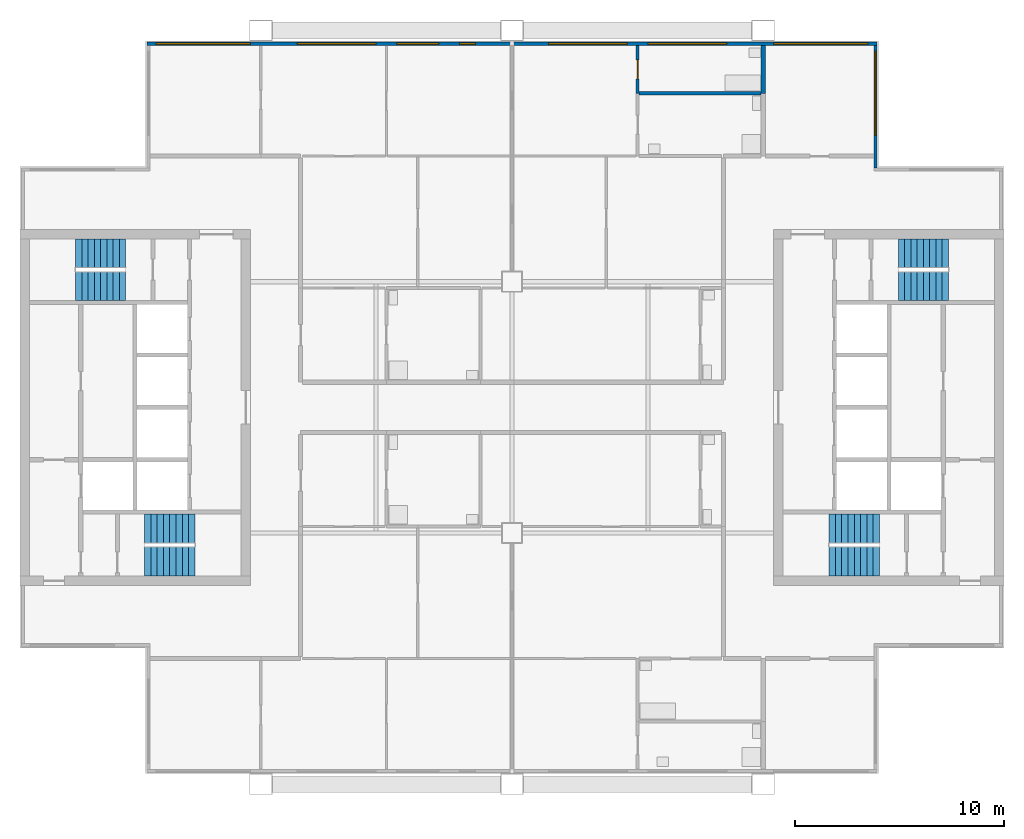
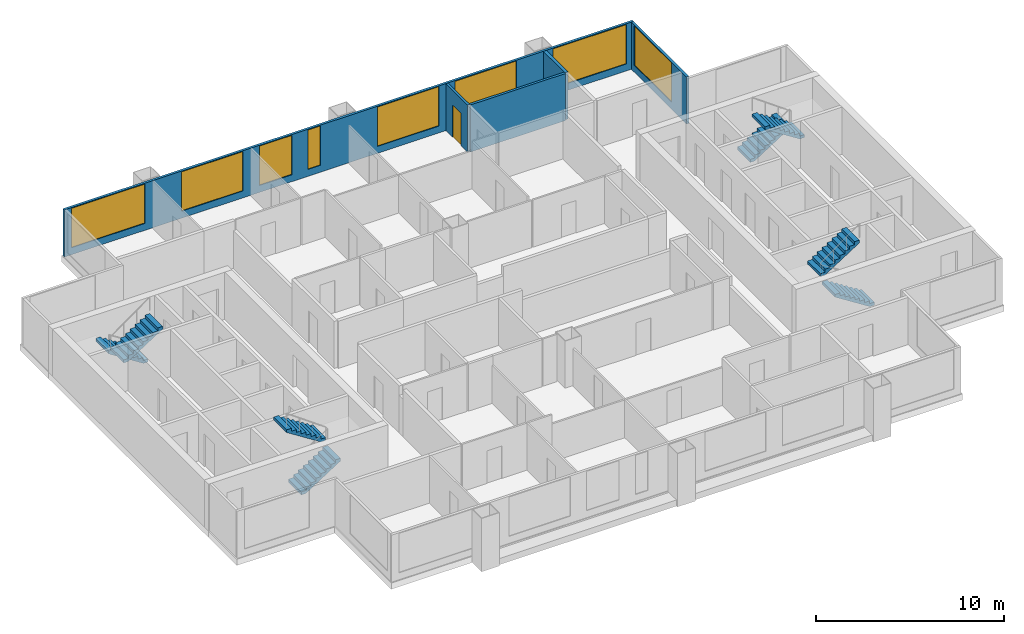
# One storey, part 6 of 8: 8 stair flights, 8 windows, 5 walls, 1 door, 9 openings, 4 elements without a shape of their own.
"""IFC4 building model written with IfcOpenShell, lengths in metres."""

from ifc_helpers import new_model, si_unit, direction, frame, frame_2d, origin, place, context, subcontext, project, spatial, polyline, rectangle, outline, extrude, material, layer, layer_set, type_object, element, fill, aggregate, save


model = new_model("IFC4")

# Units and contexts
model_context = context("Model", 3, precision=1e-05, world=origin(), true_north=direction((0.0, 1.0)))
body_context = subcontext(model_context, "Body", "Model", "MODEL_VIEW")
ifc_project = project(units=[si_unit("LENGTHUNIT", "METRE"), si_unit("AREAUNIT", "SQUARE_METRE"), si_unit("VOLUMEUNIT", "CUBIC_METRE"), si_unit("PLANEANGLEUNIT", "RADIAN"), si_unit("MASSUNIT", "GRAM", prefix="KILO")], contexts=[model_context])

# Site, building, storey
site_placement = place(None, origin())
site = spatial("IfcSite", under=ifc_project, at=site_placement, CompositionType="ELEMENT")
building_placement = place(site_placement, origin())
building = spatial("IfcBuilding", under=site, at=building_placement, Name="Kitamizu Gate Tower and Museum", CompositionType="ELEMENT")
storey_placement = place(building_placement, frame((0.0, 0.0, 235.199951171875)))
storey = spatial("IfcBuildingStorey", under=building, at=storey_placement, Name="L63", CompositionType="ELEMENT", Elevation=235.199951171875)

# Wall, opening, door
ifc_material_1 = material(Name="Gypsum board on galvanised stud")
ifc_layer_1 = layer(ifc_material_1, 0.14990234375)
ifc_layer_set_1 = layer_set([ifc_layer_1], Name="Gypsum board on galvanised stud")
wall_type_1 = type_object("IfcWallType", Name="Partition 150", PredefinedType="PARTITIONING", material=ifc_layer_set_1)
wall_1_placement = place(storey_placement, frame((42.0, 45.0, 0.0), z_axis=(0.0, 0.0, 1.0), x_axis=(0.0, 1.0, 0.0)))
wall_1 = element("IfcWall", 1, at=wall_1_placement, inside=storey, type_object=wall_type_1, Name="Partition L63-047", PredefinedType="PARTITIONING", context=body_context, shape_type="SweptSolid", body=[
    extrude(rectangle(XDim=2.280029296875, YDim=0.14990234375, at=frame_2d((1.14013671875, 0.0))), origin(), (0.0, 0.0, 1.0), 3.050048828125),
])
opening_1_placement = place(wall_1_placement, frame((0.68994140625, 0.0, 0.0)))
opening_1 = element("IfcOpeningElement", 2, at=opening_1_placement, cuts=wall_1, Name="Opening L63-021", PredefinedType="OPENING", context=body_context, shape_type="SweptSolid", body=[
    extrude(rectangle(XDim=0.89990234375, YDim=2.10009765625, at=frame_2d((0.449951171875, 1.050048828125))), frame((0.0, 0.0849609375, 0.0), z_axis=(0.0, -1.0, 0.0), x_axis=(1.0, 0.0, 0.0)), (0.0, 0.0, 1.0), 0.169921875),
])
ifc_material_2 = material(Name="Timber door set", Category="wood")
door_type = type_object("IfcDoorType", Name="Bathroom door 900", OperationType="NOTDEFINED", PredefinedType="DOOR", material=ifc_material_2)
door_placement = place(opening_1_placement, frame((0.89990234375, 0.0, 0.0), x_axis=(-1.0, 0.0, 0.0)))
door = element("IfcDoor", 3, at=door_placement, inside=storey, type_object=door_type, Name="Bathroom door L63-021", OperationType="SINGLE_SWING_LEFT", OverallHeight=2.10009765625, OverallWidth=0.89990234375, PredefinedType="DOOR", context=body_context, shape_type="SweptSolid", body=[
    extrude(rectangle(XDim=0.89990234375, YDim=2.10009765625, at=frame_2d((0.449951171875, 1.050048828125))), frame((0.0, 0.02490234375, 0.0), z_axis=(0.0, -1.0, 0.0), x_axis=(1.0, 0.0, 0.0)), (0.0, 0.0, 1.0), 0.050048828125),
])
fill(opening_1, door)

# Walls
wall_2_placement = place(storey_placement, frame((47.89990234375, 45.0, 0.0), z_axis=(0.0, 0.0, 1.0), x_axis=(-1.0, 0.0, 0.0)))
element("IfcWall", 4, at=wall_2_placement, inside=storey, type_object=wall_type_1, Name="Partition L63-050", PredefinedType="PARTITIONING", context=body_context, shape_type="SweptSolid", body=[
    extrude(rectangle(XDim=5.824951171875, YDim=0.14990234375, at=frame_2d((2.91259765625, 0.0))), origin(), (0.0, 0.0, 1.0), 3.050048828125),
])
ifc_material_3 = material(Name="Gypsum board on galvanised stud")
ifc_layer_2 = layer(ifc_material_3, 0.199951171875)
ifc_layer_set_2 = layer_set([ifc_layer_2], Name="Gypsum board on galvanised stud")
wall_type_2 = type_object("IfcWallType", Name="Partition 200", PredefinedType="PARTITIONING", material=ifc_layer_set_2)
wall_3_placement = place(storey_placement, frame((48.0, 45.0, 0.0), z_axis=(0.0, 0.0, 1.0), x_axis=(0.0, 1.0, 0.0)))
element("IfcWall", 5, at=wall_3_placement, inside=storey, type_object=wall_type_2, Name="Partition L63-054", PredefinedType="PARTITIONING", context=body_context, shape_type="SweptSolid", body=[
    extrude(rectangle(XDim=2.280029296875, YDim=0.199951171875, at=frame_2d((1.14013671875, 0.0))), origin(), (0.0, 0.0, 1.0), 3.050048828125),
])

# Wall, opening, window
ifc_material_4 = material(Name="Bronze anodised aluminium frame with insulated spandrel and tinted glass", Category="aluminium")
ifc_layer_3 = layer(ifc_material_4, 0.14990234375)
ifc_layer_set_3 = layer_set([ifc_layer_3], Name="Bronze anodised aluminium frame with insulated spandrel and tinted glass")
wall_type_3 = type_object("IfcWallType", Name="WINDOW WALL 150 BRONZE FRAME EI 30", PredefinedType="ELEMENTEDWALL", material=ifc_layer_set_3)
wall_4_placement = place(storey_placement, frame((53.364990234375, 41.43994140625, 0.0), z_axis=(0.0, 0.0, 1.0), x_axis=(0.0, 1.0, 0.0)))
wall_4 = element("IfcWall", 6, at=wall_4_placement, inside=storey, type_object=wall_type_3, Name="Window wall east L63", PredefinedType="ELEMENTEDWALL", context=body_context, shape_type="SweptSolid", body=[
    extrude(rectangle(XDim=5.85009765625, YDim=0.14990234375, at=frame_2d((2.925048828125, 0.0))), origin(), (0.0, 0.0, 1.0), 3.050048828125),
])
opening_2_placement = place(wall_4_placement, frame((1.56005859375, 0.0, 0.449951171875)))
opening_2 = element("IfcOpeningElement", 7, at=opening_2_placement, cuts=wall_4, Name="Opening W16", PredefinedType="OPENING", context=body_context, shape_type="SweptSolid", body=[
    extrude(rectangle(XDim=4.0, YDim=2.550048828125, at=frame_2d((2.0, 1.27490234375))), frame((0.0, 0.0849609375, 0.0), z_axis=(0.0, -1.0, 0.0), x_axis=(1.0, 0.0, 0.0)), (0.0, 0.0, 1.0), 0.169921875),
])
ifc_material_5 = material(Name="Bronze anodised aluminium frame, tinted triple glazing", Category="aluminium")
window_type_1 = type_object("IfcWindowType", Name="WINDOW 4000 x 2550 SILL 450", PartitioningType="SINGLE_PANEL", PredefinedType="WINDOW", material=ifc_material_5)
window_1_placement = place(opening_2_placement, origin())
window_1 = element("IfcWindow", 8, at=window_1_placement, inside=storey, type_object=window_type_1, Name="Window W16 L63", OverallHeight=2.550048828125, OverallWidth=4.0, PartitioningType="SINGLE_PANEL", PredefinedType="WINDOW", context=body_context, shape_type="SweptSolid", body=[
    extrude(rectangle(XDim=4.0, YDim=2.550048828125, at=frame_2d((2.0, 1.27490234375))), frame((0.0, 0.030029296875, 0.0), z_axis=(0.0, -1.0, 0.0), x_axis=(1.0, 0.0, 0.0)), (0.0, 0.0, 1.0), 0.06005859375),
])
fill(opening_2, window_1)

# Wall, openings, windows
wall_5_placement = place(storey_placement, frame((18.56005859375, 47.364990234375, 0.0), z_axis=(0.0, 0.0, 1.0), x_axis=(1.0, 0.0, 0.0)))
wall_5 = element("IfcWall", 9, at=wall_5_placement, inside=storey, type_object=wall_type_3, Name="Window wall north L63", PredefinedType="ELEMENTEDWALL", context=body_context, shape_type="SweptSolid", body=[
    extrude(rectangle(XDim=34.8798828125, YDim=0.14990234375, at=frame_2d((17.43994140625, 0.0))), origin(), (0.0, 0.0, 1.0), 3.050048828125),
])
opening_3_placement = place(wall_5_placement, frame((0.43994140625, 0.0, 0.449951171875)))
opening_3 = element("IfcOpeningElement", 10, at=opening_3_placement, cuts=wall_5, Name="Opening W15", PredefinedType="OPENING", context=body_context, shape_type="SweptSolid", body=[
    extrude(rectangle(XDim=4.5, YDim=2.550048828125, at=frame_2d((2.25, 1.27490234375))), frame((0.0, 0.0849609375, 0.0), z_axis=(0.0, -1.0, 0.0), x_axis=(1.0, 0.0, 0.0)), (0.0, 0.0, 1.0), 0.169921875),
])
opening_4_placement = place(wall_5_placement, frame((7.18994140625, 0.0, 0.449951171875)))
opening_4 = element("IfcOpeningElement", 11, at=opening_4_placement, cuts=wall_5, Name="Opening W36", PredefinedType="OPENING", context=body_context, shape_type="SweptSolid", body=[
    extrude(rectangle(XDim=3.75, YDim=2.550048828125, at=frame_2d((1.875, 1.27490234375))), frame((0.0, 0.0849609375, 0.0), z_axis=(0.0, -1.0, 0.0), x_axis=(1.0, 0.0, 0.0)), (0.0, 0.0, 1.0), 0.169921875),
])
opening_5_placement = place(wall_5_placement, frame((11.93994140625, 0.0, 0.449951171875)))
opening_5 = element("IfcOpeningElement", 12, at=opening_5_placement, cuts=wall_5, Name="Opening W2", PredefinedType="OPENING", context=body_context, shape_type="SweptSolid", body=[
    extrude(rectangle(XDim=2.0, YDim=2.550048828125, at=frame_2d((1.0, 1.27490234375))), frame((0.0, 0.0849609375, 0.0), z_axis=(0.0, -1.0, 0.0), x_axis=(1.0, 0.0, 0.0)), (0.0, 0.0, 1.0), 0.169921875),
])
opening_6_placement = place(wall_5_placement, frame((14.93994140625, 0.0, 0.449951171875)))
opening_6 = element("IfcOpeningElement", 13, at=opening_6_placement, cuts=wall_5, Name="Opening W25", PredefinedType="OPENING", context=body_context, shape_type="SweptSolid", body=[
    extrude(rectangle(XDim=0.75, YDim=2.550048828125, at=frame_2d((0.375, 1.27490234375))), frame((0.0, 0.0849609375, 0.0), z_axis=(0.0, -1.0, 0.0), x_axis=(1.0, 0.0, 0.0)), (0.0, 0.0, 1.0), 0.169921875),
])
opening_7_placement = place(wall_5_placement, frame((19.18994140625, 0.0, 0.449951171875)))
opening_7 = element("IfcOpeningElement", 14, at=opening_7_placement, cuts=wall_5, Name="Opening W36", PredefinedType="OPENING", context=body_context, shape_type="SweptSolid", body=[
    extrude(rectangle(XDim=3.75, YDim=2.550048828125, at=frame_2d((1.875, 1.27490234375))), frame((0.0, 0.0849609375, 0.0), z_axis=(0.0, -1.0, 0.0), x_axis=(1.0, 0.0, 0.0)), (0.0, 0.0, 1.0), 0.169921875),
])
opening_8_placement = place(wall_5_placement, frame((23.93994140625, 0.0, 0.449951171875)))
opening_8 = element("IfcOpeningElement", 15, at=opening_8_placement, cuts=wall_5, Name="Opening W36", PredefinedType="OPENING", context=body_context, shape_type="SweptSolid", body=[
    extrude(rectangle(XDim=3.75, YDim=2.550048828125, at=frame_2d((1.875, 1.27490234375))), frame((0.0, 0.0849609375, 0.0), z_axis=(0.0, -1.0, 0.0), x_axis=(1.0, 0.0, 0.0)), (0.0, 0.0, 1.0), 0.169921875),
])
opening_9_placement = place(wall_5_placement, frame((29.93994140625, 0.0, 0.449951171875)))
opening_9 = element("IfcOpeningElement", 16, at=opening_9_placement, cuts=wall_5, Name="Opening W15", PredefinedType="OPENING", context=body_context, shape_type="SweptSolid", body=[
    extrude(rectangle(XDim=4.5, YDim=2.550048828125, at=frame_2d((2.25, 1.27490234375))), frame((0.0, 0.0849609375, 0.0), z_axis=(0.0, -1.0, 0.0), x_axis=(1.0, 0.0, 0.0)), (0.0, 0.0, 1.0), 0.169921875),
])
ifc_material_6 = material(Name="Bronze anodised aluminium frame, tinted triple glazing", Category="aluminium")
window_type_2 = type_object("IfcWindowType", Name="WINDOW 2000 x 2550 SILL 450", PartitioningType="SINGLE_PANEL", PredefinedType="WINDOW", material=ifc_material_6)
window_2_placement = place(opening_5_placement, origin())
window_2 = element("IfcWindow", 17, at=window_2_placement, inside=storey, type_object=window_type_2, Name="Window W2 L63", OverallHeight=2.550048828125, OverallWidth=2.0, PartitioningType="SINGLE_PANEL", PredefinedType="WINDOW", context=body_context, shape_type="SweptSolid", body=[
    extrude(rectangle(XDim=2.0, YDim=2.550048828125, at=frame_2d((1.0, 1.27490234375))), frame((0.0, 0.030029296875, 0.0), z_axis=(0.0, -1.0, 0.0), x_axis=(1.0, 0.0, 0.0)), (0.0, 0.0, 1.0), 0.06005859375),
])
fill(opening_5, window_2)
ifc_material_7 = material(Name="Bronze anodised aluminium frame, tinted triple glazing", Category="aluminium")
window_type_3 = type_object("IfcWindowType", Name="WINDOW 3750 x 2550 SILL 450", PartitioningType="SINGLE_PANEL", PredefinedType="WINDOW", material=ifc_material_7)
window_3_placement = place(opening_4_placement, origin())
window_3 = element("IfcWindow", 18, at=window_3_placement, inside=storey, type_object=window_type_3, Name="Window W36 L63", OverallHeight=2.550048828125, OverallWidth=3.75, PartitioningType="SINGLE_PANEL", PredefinedType="WINDOW", context=body_context, shape_type="SweptSolid", body=[
    extrude(rectangle(XDim=3.75, YDim=2.550048828125, at=frame_2d((1.875, 1.27490234375))), frame((0.0, 0.030029296875, 0.0), z_axis=(0.0, -1.0, 0.0), x_axis=(1.0, 0.0, 0.0)), (0.0, 0.0, 1.0), 0.06005859375),
])
fill(opening_4, window_3)
window_4_placement = place(opening_7_placement, origin())
window_4 = element("IfcWindow", 19, at=window_4_placement, inside=storey, type_object=window_type_3, Name="Window W36 L63", OverallHeight=2.550048828125, OverallWidth=3.75, PartitioningType="SINGLE_PANEL", PredefinedType="WINDOW", context=body_context, shape_type="SweptSolid", body=[
    extrude(rectangle(XDim=3.75, YDim=2.550048828125, at=frame_2d((1.875, 1.27490234375))), frame((0.0, 0.030029296875, 0.0), z_axis=(0.0, -1.0, 0.0), x_axis=(1.0, 0.0, 0.0)), (0.0, 0.0, 1.0), 0.06005859375),
])
fill(opening_7, window_4)
window_5_placement = place(opening_8_placement, origin())
window_5 = element("IfcWindow", 20, at=window_5_placement, inside=storey, type_object=window_type_3, Name="Window W36 L63", OverallHeight=2.550048828125, OverallWidth=3.75, PartitioningType="SINGLE_PANEL", PredefinedType="WINDOW", context=body_context, shape_type="SweptSolid", body=[
    extrude(rectangle(XDim=3.75, YDim=2.550048828125, at=frame_2d((1.875, 1.27490234375))), frame((0.0, 0.030029296875, 0.0), z_axis=(0.0, -1.0, 0.0), x_axis=(1.0, 0.0, 0.0)), (0.0, 0.0, 1.0), 0.06005859375),
])
fill(opening_8, window_5)
ifc_material_8 = material(Name="Bronze anodised aluminium frame, tinted triple glazing", Category="aluminium")
window_type_4 = type_object("IfcWindowType", Name="WINDOW 4500 x 2550 SILL 450", PartitioningType="SINGLE_PANEL", PredefinedType="WINDOW", material=ifc_material_8)
window_6_placement = place(opening_3_placement, origin())
window_6 = element("IfcWindow", 21, at=window_6_placement, inside=storey, type_object=window_type_4, Name="Window W15 L63", OverallHeight=2.550048828125, OverallWidth=4.5, PartitioningType="SINGLE_PANEL", PredefinedType="WINDOW", context=body_context, shape_type="SweptSolid", body=[
    extrude(rectangle(XDim=4.5, YDim=2.550048828125, at=frame_2d((2.25, 1.27490234375))), frame((0.0, 0.030029296875, 0.0), z_axis=(0.0, -1.0, 0.0), x_axis=(1.0, 0.0, 0.0)), (0.0, 0.0, 1.0), 0.06005859375),
])
fill(opening_3, window_6)
window_7_placement = place(opening_9_placement, origin())
window_7 = element("IfcWindow", 22, at=window_7_placement, inside=storey, type_object=window_type_4, Name="Window W15 L63", OverallHeight=2.550048828125, OverallWidth=4.5, PartitioningType="SINGLE_PANEL", PredefinedType="WINDOW", context=body_context, shape_type="SweptSolid", body=[
    extrude(rectangle(XDim=4.5, YDim=2.550048828125, at=frame_2d((2.25, 1.27490234375))), frame((0.0, 0.030029296875, 0.0), z_axis=(0.0, -1.0, 0.0), x_axis=(1.0, 0.0, 0.0)), (0.0, 0.0, 1.0), 0.06005859375),
])
fill(opening_9, window_7)
ifc_material_9 = material(Name="Bronze anodised aluminium frame, tinted triple glazing", Category="aluminium")
window_type_5 = type_object("IfcWindowType", Name="WINDOW 750 x 2550 SILL 450", PartitioningType="SINGLE_PANEL", PredefinedType="WINDOW", material=ifc_material_9)
window_8_placement = place(opening_6_placement, origin())
window_8 = element("IfcWindow", 23, at=window_8_placement, inside=storey, type_object=window_type_5, Name="Window W25 L63", OverallHeight=2.550048828125, OverallWidth=0.75, PartitioningType="SINGLE_PANEL", PredefinedType="WINDOW", context=body_context, shape_type="SweptSolid", body=[
    extrude(rectangle(XDim=0.75, YDim=2.550048828125, at=frame_2d((0.375, 1.27490234375))), frame((0.0, 0.030029296875, 0.0), z_axis=(0.0, -1.0, 0.0), x_axis=(1.0, 0.0, 0.0)), (0.0, 0.0, 1.0), 0.06005859375),
])
fill(opening_6, window_8)

# Stair, stair flights
ifc_material_10 = material(Name="Concrete Fc42", Category="concrete")
stair_type = type_object("IfcStairType", Name="Exit stair 1375 wide 192 rise 300 going", PredefinedType="HALF_TURN_STAIR", material=ifc_material_10)
stair_1_placement = place(storey_placement, origin())
stair_1 = element("IfcStair", 24, at=stair_1_placement, inside=storey, type_object=stair_type, Name="Exit stair ST1", PredefinedType="HALF_TURN_STAIR")
ifc_material_11 = material(Name="Concrete Fc42", Category="concrete")
stair_flight_type = type_object("IfcStairFlightType", Name="Stair flight 1375 wide 192 rise 300 going", PredefinedType="STRAIGHT", material=ifc_material_11)
stair_flight_1_placement = place(storey_placement, frame((18.449951171875, 22.637451171875, 0.0), z_axis=(0.0, 0.0, 1.0), x_axis=(1.0, 0.0, 0.0)))
stair_flight_1 = element("IfcStairFlight", 25, at=stair_flight_1_placement, type_object=stair_flight_type, Name="ST1 flight 1", NumberOfRisers=9, NumberOfTreads=8, PredefinedType="STRAIGHT", RiserHeight=0.191666667, TreadLength=0.3, context=body_context, shape_type="SweptSolid", body=[
    extrude(outline(polyline([(0.0, 0.0), (0.0, 0.191650390625), (0.300048828125, 0.191650390625), (0.300048828125, 0.38330078125), (0.60009765625, 0.38330078125), (0.60009765625, 0.574951171875), (0.89990234375, 0.574951171875), (0.89990234375, 0.7666015625), (1.199951171875, 0.7666015625), (1.199951171875, 0.958251953125), (1.5, 0.958251953125), (1.5, 1.14990234375), (1.800048828125, 1.14990234375), (1.800048828125, 1.341552734375), (2.10009765625, 1.341552734375), (2.10009765625, 1.533447265625), (2.39990234375, 1.533447265625), (2.39990234375, 1.72509765625), (2.39990234375, 1.35546875), (0.2783203125, 0.0), (0.0, 0.0)])), frame((0.0, 0.6875, 0.0), z_axis=(0.0, -1.0, 0.0), x_axis=(1.0, 0.0, 0.0)), (0.0, 0.0, 1.0), 1.375),
])
stair_flight_2_placement = place(storey_placement, frame((20.85009765625, 24.21240234375, 1.72509765625), z_axis=(0.0, 0.0, 1.0), x_axis=(-1.0, 0.0, 0.0)))
stair_flight_2 = element("IfcStairFlight", 26, at=stair_flight_2_placement, type_object=stair_flight_type, Name="ST1 flight 2", NumberOfRisers=9, NumberOfTreads=8, PredefinedType="STRAIGHT", RiserHeight=0.191666667, TreadLength=0.3, context=body_context, shape_type="SweptSolid", body=[
    extrude(outline(polyline([(0.0, 0.0), (0.0, 0.191650390625), (0.300048828125, 0.191650390625), (0.300048828125, 0.38330078125), (0.60009765625, 0.38330078125), (0.60009765625, 0.574951171875), (0.89990234375, 0.574951171875), (0.89990234375, 0.7666015625), (1.199951171875, 0.7666015625), (1.199951171875, 0.958251953125), (1.5, 0.958251953125), (1.5, 1.14990234375), (1.800048828125, 1.14990234375), (1.800048828125, 1.341552734375), (2.10009765625, 1.341552734375), (2.10009765625, 1.533447265625), (2.39990234375, 1.533447265625), (2.39990234375, 1.72509765625), (2.39990234375, 1.35546875), (0.2783203125, 0.0), (0.0, 0.0)])), frame((0.0, 0.6875, 0.0), z_axis=(0.0, -1.0, 0.0), x_axis=(1.0, 0.0, 0.0)), (0.0, 0.0, 1.0), 1.375),
])
aggregate(stair_1, [stair_flight_1, stair_flight_2])

stair_2_placement = place(storey_placement, origin())
stair_2 = element("IfcStair", 27, at=stair_2_placement, inside=storey, type_object=stair_type, Name="Exit stair ST2", PredefinedType="HALF_TURN_STAIR")
stair_flight_3_placement = place(storey_placement, frame((17.550048828125, 37.362548828125, 0.0), z_axis=(0.0, 0.0, 1.0), x_axis=(-1.0, 0.0, 0.0)))
stair_flight_3 = element("IfcStairFlight", 28, at=stair_flight_3_placement, type_object=stair_flight_type, Name="ST2 flight 1", NumberOfRisers=9, NumberOfTreads=8, PredefinedType="STRAIGHT", RiserHeight=0.191666667, TreadLength=0.3, context=body_context, shape_type="SweptSolid", body=[
    extrude(outline(polyline([(0.0, 0.0), (0.0, 0.191650390625), (0.300048828125, 0.191650390625), (0.300048828125, 0.38330078125), (0.60009765625, 0.38330078125), (0.60009765625, 0.574951171875), (0.89990234375, 0.574951171875), (0.89990234375, 0.7666015625), (1.199951171875, 0.7666015625), (1.199951171875, 0.958251953125), (1.5, 0.958251953125), (1.5, 1.14990234375), (1.800048828125, 1.14990234375), (1.800048828125, 1.341552734375), (2.10009765625, 1.341552734375), (2.10009765625, 1.533447265625), (2.39990234375, 1.533447265625), (2.39990234375, 1.72509765625), (2.39990234375, 1.35546875), (0.2783203125, 0.0), (0.0, 0.0)])), frame((0.0, 0.6875, 0.0), z_axis=(0.0, -1.0, 0.0), x_axis=(1.0, 0.0, 0.0)), (0.0, 0.0, 1.0), 1.375),
])
stair_flight_4_placement = place(storey_placement, frame((15.14990234375, 35.78759765625, 1.72509765625), z_axis=(0.0, 0.0, 1.0), x_axis=(1.0, 0.0, 0.0)))
stair_flight_4 = element("IfcStairFlight", 29, at=stair_flight_4_placement, type_object=stair_flight_type, Name="ST2 flight 2", NumberOfRisers=9, NumberOfTreads=8, PredefinedType="STRAIGHT", RiserHeight=0.191666667, TreadLength=0.3, context=body_context, shape_type="SweptSolid", body=[
    extrude(outline(polyline([(0.0, 0.0), (0.0, 0.191650390625), (0.300048828125, 0.191650390625), (0.300048828125, 0.38330078125), (0.60009765625, 0.38330078125), (0.60009765625, 0.574951171875), (0.89990234375, 0.574951171875), (0.89990234375, 0.7666015625), (1.199951171875, 0.7666015625), (1.199951171875, 0.958251953125), (1.5, 0.958251953125), (1.5, 1.14990234375), (1.800048828125, 1.14990234375), (1.800048828125, 1.341552734375), (2.10009765625, 1.341552734375), (2.10009765625, 1.533447265625), (2.39990234375, 1.533447265625), (2.39990234375, 1.72509765625), (2.39990234375, 1.35546875), (0.2783203125, 0.0), (0.0, 0.0)])), frame((0.0, 0.6875, 0.0), z_axis=(0.0, -1.0, 0.0), x_axis=(1.0, 0.0, 0.0)), (0.0, 0.0, 1.0), 1.375),
])
aggregate(stair_2, [stair_flight_3, stair_flight_4])

stair_3_placement = place(storey_placement, origin())
stair_3 = element("IfcStair", 30, at=stair_3_placement, inside=storey, type_object=stair_type, Name="Exit stair ST3", PredefinedType="HALF_TURN_STAIR")
stair_flight_5_placement = place(storey_placement, frame((53.550048828125, 22.637451171875, 0.0), z_axis=(0.0, 0.0, 1.0), x_axis=(-1.0, 0.0, 0.0)))
stair_flight_5 = element("IfcStairFlight", 31, at=stair_flight_5_placement, type_object=stair_flight_type, Name="ST3 flight 1", NumberOfRisers=9, NumberOfTreads=8, PredefinedType="STRAIGHT", RiserHeight=0.191666667, TreadLength=0.3, context=body_context, shape_type="SweptSolid", body=[
    extrude(outline(polyline([(0.0, 0.0), (0.0, 0.191650390625), (0.300048828125, 0.191650390625), (0.300048828125, 0.38330078125), (0.60009765625, 0.38330078125), (0.60009765625, 0.574951171875), (0.89990234375, 0.574951171875), (0.89990234375, 0.7666015625), (1.199951171875, 0.7666015625), (1.199951171875, 0.958251953125), (1.5, 0.958251953125), (1.5, 1.14990234375), (1.800048828125, 1.14990234375), (1.800048828125, 1.341552734375), (2.10009765625, 1.341552734375), (2.10009765625, 1.533447265625), (2.39990234375, 1.533447265625), (2.39990234375, 1.72509765625), (2.39990234375, 1.35546875), (0.2783203125, 0.0), (0.0, 0.0)])), frame((0.0, 0.6875, 0.0), z_axis=(0.0, -1.0, 0.0), x_axis=(1.0, 0.0, 0.0)), (0.0, 0.0, 1.0), 1.375),
])
stair_flight_6_placement = place(storey_placement, frame((51.14990234375, 24.21240234375, 1.72509765625), z_axis=(0.0, 0.0, 1.0), x_axis=(1.0, 0.0, 0.0)))
stair_flight_6 = element("IfcStairFlight", 32, at=stair_flight_6_placement, type_object=stair_flight_type, Name="ST3 flight 2", NumberOfRisers=9, NumberOfTreads=8, PredefinedType="STRAIGHT", RiserHeight=0.191666667, TreadLength=0.3, context=body_context, shape_type="SweptSolid", body=[
    extrude(outline(polyline([(0.0, 0.0), (0.0, 0.191650390625), (0.300048828125, 0.191650390625), (0.300048828125, 0.38330078125), (0.60009765625, 0.38330078125), (0.60009765625, 0.574951171875), (0.89990234375, 0.574951171875), (0.89990234375, 0.7666015625), (1.199951171875, 0.7666015625), (1.199951171875, 0.958251953125), (1.5, 0.958251953125), (1.5, 1.14990234375), (1.800048828125, 1.14990234375), (1.800048828125, 1.341552734375), (2.10009765625, 1.341552734375), (2.10009765625, 1.533447265625), (2.39990234375, 1.533447265625), (2.39990234375, 1.72509765625), (2.39990234375, 1.35546875), (0.2783203125, 0.0), (0.0, 0.0)])), frame((0.0, 0.6875, 0.0), z_axis=(0.0, -1.0, 0.0), x_axis=(1.0, 0.0, 0.0)), (0.0, 0.0, 1.0), 1.375),
])
aggregate(stair_3, [stair_flight_5, stair_flight_6])

stair_4_placement = place(storey_placement, origin())
stair_4 = element("IfcStair", 33, at=stair_4_placement, inside=storey, type_object=stair_type, Name="Exit stair ST4", PredefinedType="HALF_TURN_STAIR")
stair_flight_7_placement = place(storey_placement, frame((54.449951171875, 37.362548828125, 0.0), z_axis=(0.0, 0.0, 1.0), x_axis=(1.0, 0.0, 0.0)))
stair_flight_7 = element("IfcStairFlight", 34, at=stair_flight_7_placement, type_object=stair_flight_type, Name="ST4 flight 1", NumberOfRisers=9, NumberOfTreads=8, PredefinedType="STRAIGHT", RiserHeight=0.191666667, TreadLength=0.3, context=body_context, shape_type="SweptSolid", body=[
    extrude(outline(polyline([(0.0, 0.0), (0.0, 0.191650390625), (0.300048828125, 0.191650390625), (0.300048828125, 0.38330078125), (0.60009765625, 0.38330078125), (0.60009765625, 0.574951171875), (0.89990234375, 0.574951171875), (0.89990234375, 0.7666015625), (1.199951171875, 0.7666015625), (1.199951171875, 0.958251953125), (1.5, 0.958251953125), (1.5, 1.14990234375), (1.800048828125, 1.14990234375), (1.800048828125, 1.341552734375), (2.10009765625, 1.341552734375), (2.10009765625, 1.533447265625), (2.39990234375, 1.533447265625), (2.39990234375, 1.72509765625), (2.39990234375, 1.35546875), (0.2783203125, 0.0), (0.0, 0.0)])), frame((0.0, 0.6875, 0.0), z_axis=(0.0, -1.0, 0.0), x_axis=(1.0, 0.0, 0.0)), (0.0, 0.0, 1.0), 1.375),
])
stair_flight_8_placement = place(storey_placement, frame((56.85009765625, 35.78759765625, 1.72509765625), z_axis=(0.0, 0.0, 1.0), x_axis=(-1.0, 0.0, 0.0)))
stair_flight_8 = element("IfcStairFlight", 35, at=stair_flight_8_placement, type_object=stair_flight_type, Name="ST4 flight 2", NumberOfRisers=9, NumberOfTreads=8, PredefinedType="STRAIGHT", RiserHeight=0.191666667, TreadLength=0.3, context=body_context, shape_type="SweptSolid", body=[
    extrude(outline(polyline([(0.0, 0.0), (0.0, 0.191650390625), (0.300048828125, 0.191650390625), (0.300048828125, 0.38330078125), (0.60009765625, 0.38330078125), (0.60009765625, 0.574951171875), (0.89990234375, 0.574951171875), (0.89990234375, 0.7666015625), (1.199951171875, 0.7666015625), (1.199951171875, 0.958251953125), (1.5, 0.958251953125), (1.5, 1.14990234375), (1.800048828125, 1.14990234375), (1.800048828125, 1.341552734375), (2.10009765625, 1.341552734375), (2.10009765625, 1.533447265625), (2.39990234375, 1.533447265625), (2.39990234375, 1.72509765625), (2.39990234375, 1.35546875), (0.2783203125, 0.0), (0.0, 0.0)])), frame((0.0, 0.6875, 0.0), z_axis=(0.0, -1.0, 0.0), x_axis=(1.0, 0.0, 0.0)), (0.0, 0.0, 1.0), 1.375),
])
aggregate(stair_4, [stair_flight_7, stair_flight_8])

save(model, "model.ifc")
